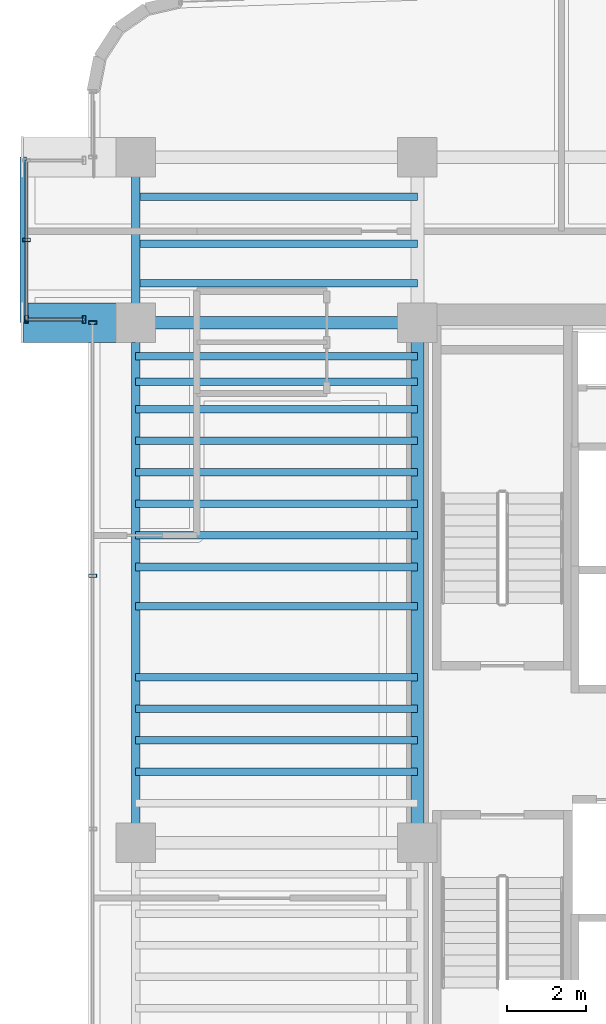
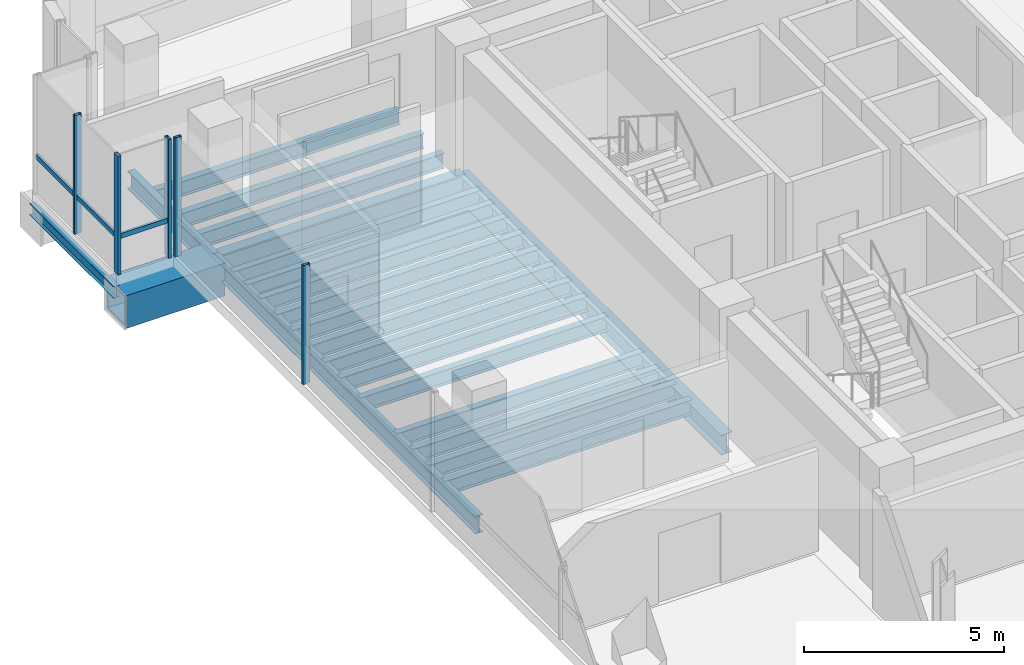
# One storey, part 8 of 37: 22 beams, 7 members, 3 elements without a shape of their own.
"""IFC4 building model written with IfcOpenShell, lengths in metres."""

from ifc_helpers import new_model, si_unit, direction, frame, origin, origin_2d, place, context, subcontext, project, spatial, hollow_rectangle, i_section, extrude, source, transform, mapped, material, material_profile, profile_set, type_object, element, aggregate, save


model = new_model("IFC4")

# Units and contexts
model_context = context("Model", 3, precision=1e-05, world=origin(), true_north=direction((0.0, 1.0)))
body_context = subcontext(model_context, "Body", "Model", "MODEL_VIEW")
ifc_project = project(units=[si_unit("LENGTHUNIT", "METRE"), si_unit("AREAUNIT", "SQUARE_METRE"), si_unit("VOLUMEUNIT", "CUBIC_METRE"), si_unit("PLANEANGLEUNIT", "RADIAN"), si_unit("MASSUNIT", "GRAM", prefix="KILO")], contexts=[model_context])

# Site, building, storey
site_placement = place(None, origin())
site = spatial("IfcSite", under=ifc_project, at=site_placement, CompositionType="ELEMENT")
building_placement = place(site_placement, origin())
building = spatial("IfcBuilding", under=site, at=building_placement, Name="Valdorenza Pilgrim Sanctuary Tower", CompositionType="ELEMENT")
storey_placement = place(building_placement, frame((0.0, 0.0, 188.39990234375)))
storey = spatial("IfcBuildingStorey", under=building, at=storey_placement, Name="L48", CompositionType="ELEMENT", Elevation=188.39990234375)

# Beams
ifc_material_1 = material(Name="Steel ASTM A992 Grade 50", Category="steel")
ifc_material_profile_1 = material_profile(ifc_material_1, i_section(OverallWidth=0.323974609375, OverallDepth=0.611083984375, WebThickness=0.0126953125, FlangeThickness=0.01904296875, at=origin_2d()), Name="W24X104")
ifc_profile_set_1 = profile_set([ifc_material_profile_1], Name="Steel ASTM A992 Grade 50")
beam_type_1 = type_object("IfcBeamType", Name="STR-BM-GRD-W24B", PredefinedType="BEAM", material=ifc_profile_set_1)
shared_shape_1 = source(origin(), body_context, "Body", "SweptSolid", [
    extrude(i_section(OverallWidth=0.323974609375, OverallDepth=0.611083984375, WebThickness=0.0126953125, FlangeThickness=0.01904296875, at=origin_2d()), origin(), (0.0, 0.0, 1.0), 13.2001953125),
])
beam_1_placement = place(storey_placement, frame((-22.64990234375, -2.60009765625, -0.62548828125), z_axis=(0.0, 1.0, 0.0), x_axis=(-1.0, 0.0, 0.0)))
element("IfcBeam", 1, at=beam_1_placement, inside=storey, type_object=beam_type_1, Name="L48 Core Tie Girder CA-W-M0N1", PredefinedType="BEAM", context=body_context, shape_type="MappedRepresentation", body=[
    mapped(shared_shape_1, transform((0.0, 0.0, 0.0), x_axis=(1.0, 0.0, 0.0), y_axis=(0.0, 1.0, 0.0), z_axis=(0.0, 0.0, 1.0), scale=1.0)),
])
ifc_material_profile_2 = material_profile(ifc_material_1, i_section(OverallWidth=0.1708984375, OverallDepth=0.35107421875, WebThickness=0.0068359375, FlangeThickness=0.009765625, at=origin_2d()), Name="W14X30")
ifc_profile_set_2 = profile_set([ifc_material_profile_2], Name="Steel ASTM A992 Grade 50")
beam_type_2 = type_object("IfcBeamType", Name="STR-BM-BOX-W14", PredefinedType="BEAM", material=ifc_profile_set_2)
shared_shape_2 = source(origin(), body_context, "Body", "SweptSolid", [
    extrude(i_section(OverallWidth=0.1708984375, OverallDepth=0.35107421875, WebThickness=0.0068359375, FlangeThickness=0.009765625, at=origin_2d()), origin(), (0.0, 0.0, 1.0), 4.199951171875),
])
beam_2_placement = place(storey_placement, frame((-32.64990234375, 10.60009765625, -0.495361328125), z_axis=(0.0, 1.0, 0.0), x_axis=(-1.0, 0.0, 0.0)))
element("IfcBeam", 2, at=beam_2_placement, inside=storey, type_object=beam_type_2, Name="L48 Glass Box Edge Beam BOX-WA-L48-F", PredefinedType="BEAM", context=body_context, shape_type="MappedRepresentation", body=[
    mapped(shared_shape_2, transform((0.0, 0.0, 0.0), x_axis=(1.0, 0.0, 0.0), y_axis=(0.0, 1.0, 0.0), z_axis=(0.0, 0.0, 1.0), scale=1.0)),
])
ifc_material_profile_3 = material_profile(ifc_material_1, i_section(OverallWidth=0.19091796875, OverallDepth=0.45703125, WebThickness=0.009033203125, FlangeThickness=0.014404296875, at=origin_2d()), Name="W18X50")
ifc_profile_set_3 = profile_set([ifc_material_profile_3], Name="Steel ASTM A992 Grade 50")
beam_type_3 = type_object("IfcBeamType", Name="STR-BM-JST-W18B", PredefinedType="JOIST", material=ifc_profile_set_3)
shared_shape_3 = source(origin(), body_context, "Body", "SweptSolid", [
    extrude(i_section(OverallWidth=0.19091796875, OverallDepth=0.45703125, WebThickness=0.009033203125, FlangeThickness=0.014404296875, at=origin_2d()), origin(), (0.0, 0.0, 1.0), 7.150146484375),
])
for number, where, z_axis, x_axis, name in (
    (3, (-29.800048828125, -0.800048828125, -0.54833984375), (1.0, 0.0, 0.0), (0.0, 1.0, 0.0), "L48 Composite Floor Joist JST-WA-11"),
    (4, (-29.800048828125, 0.0, -0.54833984375), (1.0, 0.0, 0.0), (0.0, 1.0, 0.0), "L48 Composite Floor Joist JST-WA-12"),
    (5, (-29.800048828125, 0.800048828125, -0.54833984375), (1.0, 0.0, 0.0), (0.0, 1.0, 0.0), "L48 Composite Floor Joist JST-WA-13"),
    (6, (-29.800048828125, 1.60009765625, -0.54833984375), (1.0, 0.0, 0.0), (0.0, 1.0, 0.0), "L48 Composite Floor Joist JST-WA-14"),
    (7, (-29.800048828125, 3.39990234375, -0.54833984375), (1.0, 0.0, 0.0), (0.0, 1.0, 0.0), "L48 Composite Floor Joist JST-WA-15"),
    (8, (-29.800048828125, 4.39990234375, -0.54833984375), (1.0, 0.0, 0.0), (0.0, 1.0, 0.0), "L48 Composite Floor Joist JST-WA-16"),
    (9, (-29.800048828125, 5.199951171875, -0.54833984375), (1.0, 0.0, 0.0), (0.0, 1.0, 0.0), "L48 Composite Floor Joist JST-WA-17"),
    (10, (-29.800048828125, 6.0, -0.54833984375), (1.0, 0.0, 0.0), (0.0, 1.0, 0.0), "L48 Composite Floor Joist JST-WA-18"),
    (11, (-29.800048828125, 6.800048828125, -0.54833984375), (1.0, 0.0, 0.0), (0.0, 1.0, 0.0), "L48 Composite Floor Joist JST-WA-19"),
    (12, (-29.800048828125, 7.60009765625, -0.54833984375), (1.0, 0.0, 0.0), (0.0, 1.0, 0.0), "L48 Composite Floor Joist JST-WA-20"),
    (13, (-29.800048828125, 8.39990234375, -0.54833984375), (1.0, 0.0, 0.0), (0.0, 1.0, 0.0), "L48 Composite Floor Joist JST-WA-21"),
    (14, (-29.800048828125, 9.10009765625, -0.54833984375), (1.0, 0.0, 0.0), (0.0, 1.0, 0.0), "L48 Composite Floor Joist JST-WA-22"),
    (15, (-29.800048828125, 9.75, -0.54833984375), (1.0, 0.0, 0.0), (0.0, 1.0, 0.0), "L48 Composite Floor Joist JST-WA-23"),
    (16, (-29.800048828125, 11.60009765625, -0.54833984375), (1.0, 0.0, 0.0), (0.0, 1.0, 0.0), "L48 Composite Floor Joist JST-WA-24"),
    (17, (-29.800048828125, 12.60009765625, -0.54833984375), (1.0, 0.0, 0.0), (0.0, 1.0, 0.0), "L48 Composite Floor Joist JST-WA-25"),
    (18, (-29.800048828125, 13.800048828125, -0.54833984375), (1.0, 0.0, 0.0), (0.0, 1.0, 0.0), "L48 Composite Floor Joist JST-WA-26"),
):
    element("IfcBeam", number, at=place(storey_placement, frame(where, z_axis=z_axis, x_axis=x_axis)), inside=storey, type_object=beam_type_3, Name=name, PredefinedType="JOIST", context=body_context, shape_type="MappedRepresentation", body=[
        mapped(shared_shape_3, transform((0.0, 0.0, 0.0), x_axis=(1.0, 0.0, 0.0), y_axis=(0.0, 1.0, 0.0), z_axis=(0.0, 0.0, 1.0), scale=1.0)),
    ])
ifc_material_2 = material(Name="Steel ASTM A572 Grade 42", Category="steel")
ifc_material_profile_4 = material_profile(ifc_material_2, hollow_rectangle(XDim=1.0, YDim=1.0, WallThickness=0.080078125, at=origin_2d()), Name="BOX 1000x1000x80")
ifc_profile_set_4 = profile_set([ifc_material_profile_4], Name="Steel ASTM A572 Grade 42")
beam_type_4 = type_object("IfcBeamType", Name="STR-BM-PROW-CANT", PredefinedType="BEAM", material=ifc_profile_set_4)
shared_shape_4 = source(origin(), body_context, "Body", "SweptSolid", [
    extrude(hollow_rectangle(XDim=1.0, YDim=1.0, WallThickness=0.080078125, at=origin_2d()), origin(), (0.0, 0.0, 1.0), 2.849853515625),
])
beam_3_placement = place(storey_placement, frame((-29.800048828125, 10.60009765625, -0.81982421875), z_axis=(-1.0, 0.0, 0.0), x_axis=(0.0, -1.0, 0.0)))
element("IfcBeam", 19, at=beam_3_placement, inside=storey, type_object=beam_type_4, Name="L48 Glass Box Cantilever Beam BOX-WA-L48-CT-S", PredefinedType="BEAM", context=body_context, shape_type="MappedRepresentation", body=[
    mapped(shared_shape_4, transform((0.0, 0.0, 0.0), x_axis=(1.0, 0.0, 0.0), y_axis=(0.0, 1.0, 0.0), z_axis=(0.0, 0.0, 1.0), scale=1.0)),
])
ifc_material_profile_5 = material_profile(ifc_material_1, i_section(OverallWidth=0.2109375, OverallDepth=0.5390625, WebThickness=0.01171875, FlangeThickness=0.018798828125, at=origin_2d()), Name="W21X73")
ifc_profile_set_5 = profile_set([ifc_material_profile_5], Name="Steel ASTM A992 Grade 50")
beam_type_5 = type_object("IfcBeamType", Name="STR-BM-SPN-W21B", PredefinedType="SPANDREL", material=ifc_profile_set_5)
shared_shape_5 = source(origin(), body_context, "Body", "SweptSolid", [
    extrude(i_section(OverallWidth=0.2109375, OverallDepth=0.5390625, WebThickness=0.01171875, FlangeThickness=0.018798828125, at=origin_2d()), origin(), (0.0, 0.0, 1.0), 13.2001953125),
])
beam_4_placement = place(storey_placement, frame((-29.800048828125, -2.60009765625, -0.58935546875), z_axis=(0.0, 1.0, 0.0), x_axis=(-1.0, 0.0, 0.0)))
element("IfcBeam", 20, at=beam_4_placement, inside=storey, type_object=beam_type_5, Name="L48 Spandrel Beam WA-W-M0N1", PredefinedType="SPANDREL", context=body_context, shape_type="MappedRepresentation", body=[
    mapped(shared_shape_5, transform((0.0, 0.0, 0.0), x_axis=(1.0, 0.0, 0.0), y_axis=(0.0, 1.0, 0.0), z_axis=(0.0, 0.0, 1.0), scale=1.0)),
])
shared_shape_6 = source(origin(), body_context, "Body", "SweptSolid", [
    extrude(i_section(OverallWidth=0.2109375, OverallDepth=0.5390625, WebThickness=0.01171875, FlangeThickness=0.018798828125, at=origin_2d()), origin(), (0.0, 0.0, 1.0), 4.199951171875),
])
beam_5_placement = place(storey_placement, frame((-29.800048828125, 10.60009765625, -0.58935546875), z_axis=(0.0, 1.0, 0.0), x_axis=(-1.0, 0.0, 0.0)))
element("IfcBeam", 21, at=beam_5_placement, inside=storey, type_object=beam_type_5, Name="L48 Spandrel Beam WA-W-N1N2", PredefinedType="SPANDREL", context=body_context, shape_type="MappedRepresentation", body=[
    mapped(shared_shape_6, transform((0.0, 0.0, 0.0), x_axis=(1.0, 0.0, 0.0), y_axis=(0.0, 1.0, 0.0), z_axis=(0.0, 0.0, 1.0), scale=1.0)),
])
ifc_material_profile_6 = material_profile(ifc_material_1, i_section(OverallWidth=0.31005859375, OverallDepth=0.949951171875, WebThickness=0.0244140625, FlangeThickness=0.0439453125, at=origin_2d()), Name="W36X256")
ifc_profile_set_6 = profile_set([ifc_material_profile_6], Name="Steel ASTM A992 Grade 50")
beam_type_6 = type_object("IfcBeamType", Name="STR-BM-GRD-W36B", PredefinedType="BEAM", material=ifc_profile_set_6)
shared_shape_7 = source(origin(), body_context, "Body", "SweptSolid", [
    extrude(i_section(OverallWidth=0.31005859375, OverallDepth=0.949951171875, WebThickness=0.0244140625, FlangeThickness=0.0439453125, at=origin_2d()), origin(), (0.0, 0.0, 1.0), 7.150146484375),
])
beam_6_placement = place(storey_placement, frame((-29.800048828125, 10.60009765625, -0.794921875), z_axis=(1.0, 0.0, 0.0), x_axis=(0.0, 1.0, 0.0)))
element("IfcBeam", 22, at=beam_6_placement, inside=storey, type_object=beam_type_6, Name="L48 Floor Girder WA-XW-N1", PredefinedType="BEAM", context=body_context, shape_type="MappedRepresentation", body=[
    mapped(shared_shape_7, transform((0.0, 0.0, 0.0), x_axis=(1.0, 0.0, 0.0), y_axis=(0.0, 1.0, 0.0), z_axis=(0.0, 0.0, 1.0), scale=1.0)),
])

# Curtain wall, member
ifc_material_3 = material(Name="Curtain-wall IGU glazing", Category="glass")
curtain_wall_type = type_object("IfcCurtainWallType", Name="CW-SYS-02", PredefinedType="NOTDEFINED", material=ifc_material_3)
curtain_wall_1_placement = place(storey_placement, origin())
curtain_wall_1 = element("IfcCurtainWall", 23, at=curtain_wall_1_placement, inside=storey, type_object=curtain_wall_type, Name="L48 Curtain Wall CW-L48-BOX-WA-L48-S", PredefinedType="NOTDEFINED")
ifc_material_4 = material(Name="Anodised aluminium AW-6060", Category="aluminium")
ifc_material_profile_7 = material_profile(ifc_material_4, hollow_rectangle(XDim=0.074951171875, YDim=0.14990234375, WallThickness=0.00390625, at=origin_2d()), Name="ALU-T 150x75x4")
ifc_profile_set_7 = profile_set([ifc_material_profile_7], Name="Anodised aluminium AW-6060")
member_type_1 = type_object("IfcMemberType", Name="CW-TRN-02", PredefinedType="USERDEFINED", material=ifc_profile_set_7)
shared_shape_8 = source(origin(), body_context, "Body", "SweptSolid", [
    extrude(hollow_rectangle(XDim=0.074951171875, YDim=0.14990234375, WallThickness=0.00390625, at=origin_2d()), origin(), (0.0, 0.0, 1.0), 1.4599609375),
])
member_1_placement = place(storey_placement, frame((-31.110107421875, 10.679931640625, 1.1201171875), z_axis=(-1.0, 0.0, 0.0), x_axis=(0.0, -1.0, 0.0)))
member_1 = element("IfcMember", 24, at=member_1_placement, type_object=member_type_1, Name="CW-L48-BOX-WA-L48-S Transom 1", ObjectType="TRANSOM", PredefinedType="USERDEFINED", context=body_context, shape_type="MappedRepresentation", body=[
    mapped(shared_shape_8, transform((0.0, 0.0, 0.0), x_axis=(1.0, 0.0, 0.0), y_axis=(0.0, 1.0, 0.0), z_axis=(0.0, 0.0, 1.0), scale=1.0)),
])

curtain_wall_2_placement = place(storey_placement, origin())
curtain_wall_2 = element("IfcCurtainWall", 25, at=curtain_wall_2_placement, inside=storey, type_object=curtain_wall_type, Name="L48 Curtain Wall CW-L48-BOX-WA-L48-F", PredefinedType="NOTDEFINED")
shared_shape_9 = source(origin(), body_context, "Body", "SweptSolid", [
    extrude(hollow_rectangle(XDim=0.074951171875, YDim=0.14990234375, WallThickness=0.00390625, at=origin_2d()), origin(), (0.0, 0.0, 1.0), 4.0400390625),
])
member_2_placement = place(storey_placement, frame((-32.570068359375, 10.679931640625, 1.1201171875), z_axis=(0.0, 1.0, 0.0), x_axis=(-1.0, 0.0, 0.0)))
member_2 = element("IfcMember", 26, at=member_2_placement, type_object=member_type_1, Name="CW-L48-BOX-WA-L48-F Transom 1", ObjectType="TRANSOM", PredefinedType="USERDEFINED", context=body_context, shape_type="MappedRepresentation", body=[
    mapped(shared_shape_9, transform((0.0, 0.0, 0.0), x_axis=(1.0, 0.0, 0.0), y_axis=(0.0, 1.0, 0.0), z_axis=(0.0, 0.0, 1.0), scale=1.0)),
])

# Curtain wall, members
curtain_wall_3_placement = place(storey_placement, origin())
curtain_wall_3 = element("IfcCurtainWall", 27, at=curtain_wall_3_placement, inside=storey, type_object=curtain_wall_type, Name="L48 Curtain Wall CW-L48-1-1S1", PredefinedType="NOTDEFINED")
ifc_material_profile_8 = material_profile(ifc_material_4, hollow_rectangle(XDim=0.0849609375, YDim=0.199951171875, WallThickness=0.0048828125, at=origin_2d()), Name="ALU-M 200x85x5")
ifc_profile_set_8 = profile_set([ifc_material_profile_8], Name="Anodised aluminium AW-6060")
member_type_2 = type_object("IfcMemberType", Name="CW-MUL-02", PredefinedType="MULLION", material=ifc_profile_set_8)
shared_shape_10 = source(origin(), body_context, "Body", "SweptSolid", [
    extrude(hollow_rectangle(XDim=0.0849609375, YDim=0.199951171875, WallThickness=0.0048828125, at=origin_2d()), origin(), (0.0, 0.0, 1.0), 3.630126953125),
])
member_3_placement = place(storey_placement, frame((-30.889892578125, 4.177734375, 0.0), z_axis=(0.0, 0.0, 1.0), x_axis=(0.0, 1.0, 0.0)))
member_3 = element("IfcMember", 28, at=member_3_placement, type_object=member_type_2, Name="CW-L48-1-1S1 Mullion 4", PredefinedType="MULLION", context=body_context, shape_type="MappedRepresentation", body=[
    mapped(shared_shape_10, transform((0.0, 0.0, 0.0), x_axis=(1.0, 0.0, 0.0), y_axis=(0.0, 1.0, 0.0), z_axis=(0.0, 0.0, 1.0), scale=1.0)),
])
member_4_placement = place(storey_placement, frame((-30.889892578125, 10.60009765625, 0.0), z_axis=(0.0, 0.0, 1.0), x_axis=(0.0, 1.0, 0.0)))
member_4 = element("IfcMember", 29, at=member_4_placement, type_object=member_type_2, Name="CW-L48-1-1S1 Mullion 5", PredefinedType="MULLION", context=body_context, shape_type="MappedRepresentation", body=[
    mapped(shared_shape_10, transform((0.0, 0.0, 0.0), x_axis=(1.0, 0.0, 0.0), y_axis=(0.0, 1.0, 0.0), z_axis=(0.0, 0.0, 1.0), scale=1.0)),
])
aggregate(curtain_wall_3, [member_3, member_4])

# Member
member_5_placement = place(storey_placement, frame((-31.110107421875, 10.679931640625, 0.0), z_axis=(0.0, 0.0, 1.0), x_axis=(-1.0, 0.0, 0.0)))
member_5 = element("IfcMember", 30, at=member_5_placement, type_object=member_type_2, Name="CW-L48-BOX-WA-L48-S Mullion 1", PredefinedType="MULLION", context=body_context, shape_type="MappedRepresentation", body=[
    mapped(shared_shape_10, transform((0.0, 0.0, 0.0), x_axis=(1.0, 0.0, 0.0), y_axis=(0.0, 1.0, 0.0), z_axis=(0.0, 0.0, 1.0), scale=1.0)),
])

member_6_placement = place(storey_placement, frame((-32.570068359375, 10.679931640625, 0.0), z_axis=(0.0, 0.0, 1.0), x_axis=(-1.0, 0.0, 0.0)))
member_6 = element("IfcMember", 31, at=member_6_placement, type_object=member_type_2, Name="CW-L48-BOX-WA-L48-S Mullion 2", PredefinedType="MULLION", context=body_context, shape_type="MappedRepresentation", body=[
    mapped(shared_shape_10, transform((0.0, 0.0, 0.0), x_axis=(1.0, 0.0, 0.0), y_axis=(0.0, 1.0, 0.0), z_axis=(0.0, 0.0, 1.0), scale=1.0)),
])

aggregate(curtain_wall_1, [member_5, member_6, member_1])

member_7_placement = place(storey_placement, frame((-32.570068359375, 12.699951171875, 0.0), z_axis=(0.0, 0.0, 1.0), x_axis=(0.0, 1.0, 0.0)))
member_7 = element("IfcMember", 32, at=member_7_placement, type_object=member_type_2, Name="CW-L48-BOX-WA-L48-F Mullion 2", PredefinedType="MULLION", context=body_context, shape_type="MappedRepresentation", body=[
    mapped(shared_shape_10, transform((0.0, 0.0, 0.0), x_axis=(1.0, 0.0, 0.0), y_axis=(0.0, 1.0, 0.0), z_axis=(0.0, 0.0, 1.0), scale=1.0)),
])

aggregate(curtain_wall_2, [member_7, member_2])

save(model, "model.ifc")
